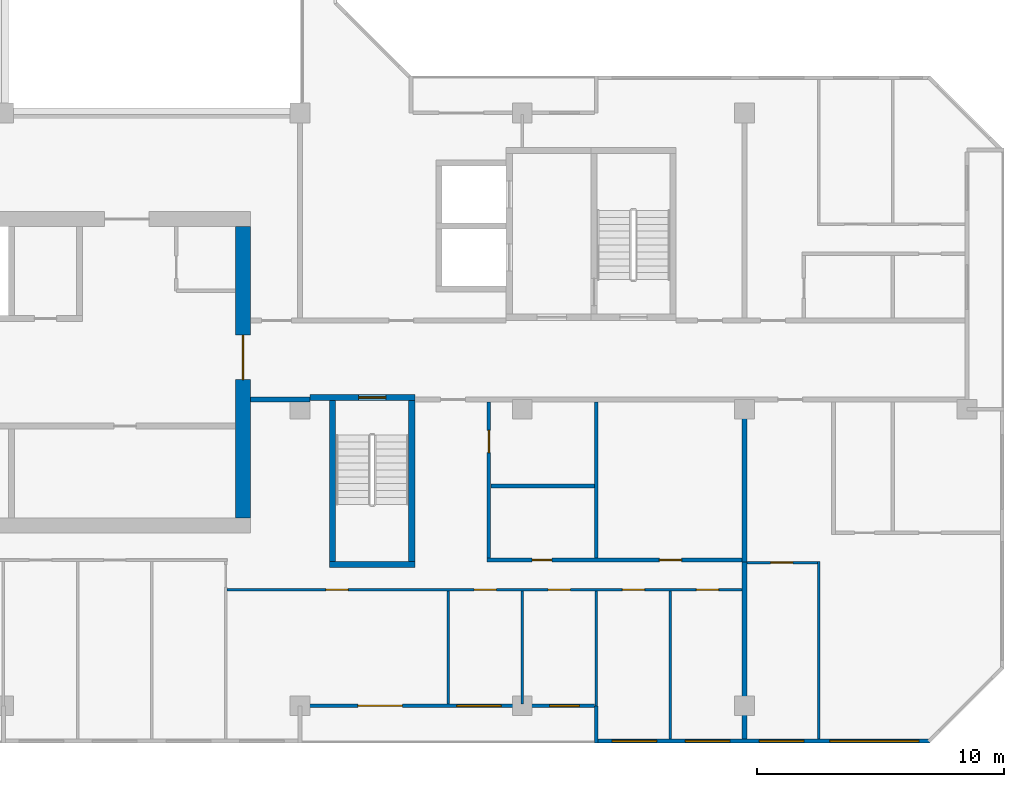
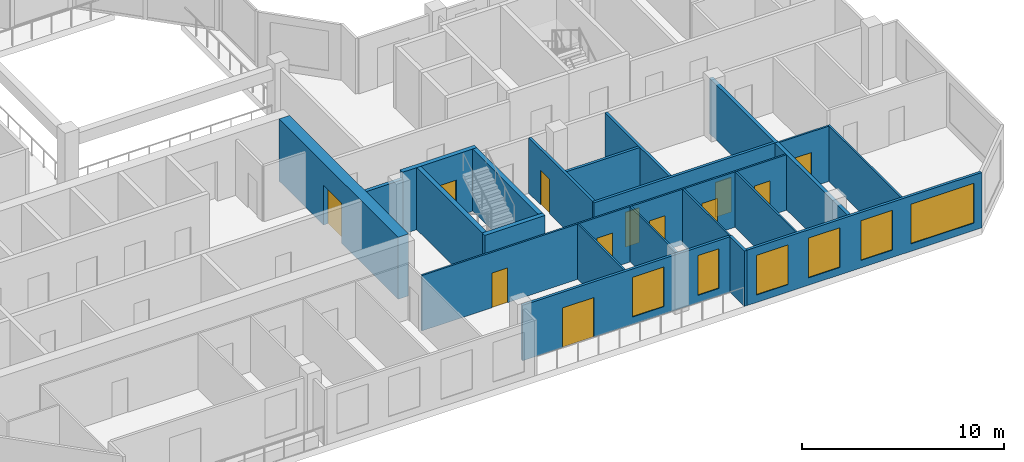
# One storey, part 6 of 13: 22 walls, 12 doors, 6 windows, 18 openings.
"""IFC4 building model written with IfcOpenShell, lengths in metres."""

from ifc_helpers import new_model, si_unit, direction, frame, frame_2d, origin, place, context, subcontext, project, spatial, rectangle, extrude, material, layer, layer_set, type_object, element, fill, save


model = new_model("IFC4")

# Units and contexts
model_context = context("Model", 3, precision=1e-05, world=origin(), true_north=direction((0.0, 1.0)))
body_context = subcontext(model_context, "Body", "Model", "MODEL_VIEW")
ifc_project = project(units=[si_unit("LENGTHUNIT", "METRE"), si_unit("AREAUNIT", "SQUARE_METRE"), si_unit("VOLUMEUNIT", "CUBIC_METRE"), si_unit("PLANEANGLEUNIT", "RADIAN"), si_unit("MASSUNIT", "GRAM", prefix="KILO")], contexts=[model_context])

# Site, building, storey
site_placement = place(None, origin())
site = spatial("IfcSite", under=ifc_project, at=site_placement, CompositionType="ELEMENT")
building_placement = place(site_placement, origin())
building = spatial("IfcBuilding", under=site, at=building_placement, Name="Chenar Terraces", CompositionType="ELEMENT")
storey_placement = place(building_placement, frame((0.0, 0.0, 284.64990234375)))
storey = spatial("IfcBuildingStorey", under=building, at=storey_placement, Name="L66", CompositionType="ELEMENT", Elevation=284.64990234375)

# Wall
ifc_material_1 = material(Name="Concrete C50/60", Category="concrete")
ifc_layer_1 = layer(ifc_material_1, 0.25)
ifc_layer_set_1 = layer_set([ifc_layer_1], Name="Concrete C50/60")
wall_type_1 = type_object("IfcWallType", Name="Core wall 250 Concrete C50/60", PredefinedType="SHEAR", material=ifc_layer_set_1)
wall_1_placement = place(storey_placement, frame((37.199951171875, 5.72509765625, 0.0), z_axis=(0.0, 0.0, 1.0), x_axis=(1.0, 0.0, 0.0)))
element("IfcWall", 1, at=wall_1_placement, inside=storey, type_object=wall_type_1, Name="Core wall ST2_S L66", PredefinedType="SHEAR", context=body_context, shape_type="SweptSolid", body=[
    extrude(rectangle(XDim=3.449951171875, YDim=0.25, at=frame_2d((1.72509765625, 0.0))), origin(), (0.0, 0.0, 1.0), 3.75),
])

# Wall, opening, door
wall_2_placement = place(storey_placement, frame((36.39990234375, 12.47509765625, 0.0), z_axis=(0.0, 0.0, 1.0), x_axis=(1.0, 0.0, 0.0)))
wall_2 = element("IfcWall", 2, at=wall_2_placement, inside=storey, type_object=wall_type_1, Name="Core wall ST2_N L66", PredefinedType="SHEAR", context=body_context, shape_type="SweptSolid", body=[
    extrude(rectangle(XDim=4.25, YDim=0.25, at=frame_2d((2.125, 0.0))), origin(), (0.0, 0.0, 1.0), 3.75),
])
opening_1_placement = place(wall_2_placement, frame((1.97509765625, 0.0, 0.0)))
opening_1 = element("IfcOpeningElement", 3, at=opening_1_placement, cuts=wall_2, Name="Opening DL66-C7", PredefinedType="OPENING", context=body_context, shape_type="SweptSolid", body=[
    extrude(rectangle(XDim=1.10009765625, YDim=2.199951171875, at=frame_2d((0.550048828125, 1.10009765625))), frame((0.0, 0.135009765625, 0.0), z_axis=(0.0, -1.0, 0.0), x_axis=(1.0, 0.0, 0.0)), (0.0, 0.0, 1.0), 0.27001953125),
])
ifc_material_2 = material(Name="Steel-framed fire-resisting door leaf", Category="steel")
door_type_1 = type_object("IfcDoorType", Name="Stair fire door FD60 1100 x 2200", OperationType="SINGLE_SWING_LEFT", PredefinedType="DOOR", material=ifc_material_2)
door_1_placement = place(opening_1_placement, frame((1.10009765625, 0.0, 0.0), z_axis=(0.0, 0.0, 1.0), x_axis=(-1.0, 0.0, 0.0)))
door_1 = element("IfcDoor", 4, at=door_1_placement, inside=storey, type_object=door_type_1, Name="Stair door DL66-C7", OperationType="SINGLE_SWING_LEFT", OverallHeight=2.199951171875, OverallWidth=1.10009765625, PredefinedType="DOOR", context=body_context, shape_type="SweptSolid", body=[
    extrude(rectangle(XDim=1.10009765625, YDim=2.199951171875, at=frame_2d((0.550048828125, 1.10009765625))), frame((0.0, 0.02490234375, 0.0), z_axis=(0.0, -1.0, 0.0), x_axis=(1.0, 0.0, 0.0)), (0.0, 0.0, 1.0), 0.050048828125),
])
fill(opening_1, door_1)

# Walls
for number, where, z_axis, x_axis, name in (
    (5, (37.324951171875, 5.85009765625, 0.0), (0.0, 0.0, 1.0), (0.0, 1.0, 0.0), "Core wall ST2_W L66"),
    (6, (40.52490234375, 5.85009765625, 0.0), (0.0, 0.0, 1.0), (0.0, 1.0, 0.0), "Core wall ST2_E L66"),
):
    element("IfcWall", number, at=place(storey_placement, frame(where, z_axis=z_axis, x_axis=x_axis)), inside=storey, type_object=wall_type_1, Name=name, PredefinedType="SHEAR", context=body_context, shape_type="SweptSolid", body=[
        extrude(rectangle(XDim=6.5, YDim=0.25, at=frame_2d((3.25, 0.0))), origin(), (0.0, 0.0, 1.0), 3.75),
    ])

# Wall, opening, door
ifc_material_3 = material(Name="Concrete C50/60", Category="concrete")
ifc_layer_2 = layer(ifc_material_3, 0.60009765625)
ifc_layer_set_2 = layer_set([ifc_layer_2], Name="Concrete C50/60")
wall_type_2 = type_object("IfcWallType", Name="Core wall 600 Concrete C50/60", PredefinedType="SHEAR", material=ifc_layer_set_2)
wall_3_placement = place(storey_placement, frame((33.699951171875, 7.60009765625, 0.0), z_axis=(0.0, 0.0, 1.0), x_axis=(0.0, 1.0, 0.0)))
wall_3 = element("IfcWall", 7, at=wall_3_placement, inside=storey, type_object=wall_type_2, Name="Core wall E L66", PredefinedType="SHEAR", context=body_context, shape_type="SweptSolid", body=[
    extrude(rectangle(XDim=11.7998046875, YDim=0.60009765625, at=frame_2d((5.89990234375, 0.0))), origin(), (0.0, 0.0, 1.0), 3.75),
])
opening_2_placement = place(wall_3_placement, frame((5.60009765625, 0.0, 0.0)))
opening_2 = element("IfcOpeningElement", 8, at=opening_2_placement, cuts=wall_3, Name="Opening DL66-C1", PredefinedType="OPENING", context=body_context, shape_type="SweptSolid", body=[
    extrude(rectangle(XDim=1.800048828125, YDim=2.39990234375, at=frame_2d((0.89990234375, 1.199951171875))), frame((0.0, 0.31005859375, 0.0), z_axis=(0.0, -1.0, 0.0), x_axis=(1.0, 0.0, 0.0)), (0.0, 0.0, 1.0), 0.6201171875),
])
ifc_material_4 = material(Name="Steel-framed fire-resisting door leaf", Category="steel")
door_type_2 = type_object("IfcDoorType", Name="Core entrance double fire door FD60 1800 x 2400", OperationType="DOUBLE_DOOR_SINGLE_SWING", PredefinedType="DOOR", material=ifc_material_4)
door_2_placement = place(opening_2_placement, origin())
door_2 = element("IfcDoor", 9, at=door_2_placement, inside=storey, type_object=door_type_2, Name="Core door DL66-C1", OperationType="DOUBLE_DOOR_SINGLE_SWING", OverallHeight=2.39990234375, OverallWidth=1.800048828125, PredefinedType="DOOR", context=body_context, shape_type="SweptSolid", body=[
    extrude(rectangle(XDim=1.800048828125, YDim=2.39990234375, at=frame_2d((0.89990234375, 1.199951171875))), frame((0.0, 0.02490234375, 0.0), z_axis=(0.0, -1.0, 0.0), x_axis=(1.0, 0.0, 0.0)), (0.0, 0.0, 1.0), 0.050048828125),
])
fill(opening_2, door_2)

# Wall
ifc_material_5 = material(Name="Gypsum board on steel studs with fire boards", Category="steel")
ifc_layer_3 = layer(ifc_material_5, 0.199951171875)
ifc_layer_set_3 = layer_set([ifc_layer_3], Name="Gypsum board on steel studs with fire boards")
wall_type_3 = type_object("IfcWallType", Name="Corridor wall 200", PredefinedType="PARTITIONING", material=ifc_layer_set_3)
wall_4_placement = place(storey_placement, frame((34.0, 12.39990234375, 0.0), z_axis=(0.0, 0.0, 1.0), x_axis=(1.0, 0.0, 0.0)))
element("IfcWall", 10, at=wall_4_placement, inside=storey, type_object=wall_type_3, Name="Partition L66-048", PredefinedType="PARTITIONING", context=body_context, shape_type="SweptSolid", body=[
    extrude(rectangle(XDim=2.40087890625, YDim=0.199951171875, at=frame_2d((1.200439453125, 0.0))), origin(), (0.0, 0.0, 1.0), 3.35009765625),
])

# Wall, openings, windows
ifc_material_6 = material(Name="Aluminium framed glazing", Category="aluminium")
ifc_layer_4 = layer(ifc_material_6, 0.14990234375)
ifc_layer_set_4 = layer_set([ifc_layer_4], Name="Aluminium framed glazing")
wall_type_4 = type_object("IfcWallType", Name="Glazed flush facade wall 150", PredefinedType="SOLIDWALL", material=ifc_layer_set_4)
wall_5_placement = place(storey_placement, frame((48.074951171875, -1.425048828125, 0.0), z_axis=(0.0, 0.0, 1.0), x_axis=(1.0, 0.0, 0.0)))
wall_5 = element("IfcWall", 11, at=wall_5_placement, inside=storey, type_object=wall_type_4, Name="Glazed flush facade wall", PredefinedType="SOLIDWALL", context=body_context, shape_type="SweptSolid", body=[
    extrude(rectangle(XDim=13.425048828125, YDim=0.14990234375, at=frame_2d((6.71240234375, 0.0))), origin(), (0.0, 0.0, 1.0), 3.35009765625),
])
opening_3_placement = place(wall_5_placement, frame((0.5625, 0.0, 0.449951171875)))
opening_3 = element("IfcOpeningElement", 12, at=opening_3_placement, cuts=wall_5, Name="Opening W180x240", PredefinedType="OPENING", context=body_context, shape_type="SweptSolid", body=[
    extrude(rectangle(XDim=1.800048828125, YDim=2.39990234375, at=frame_2d((0.89990234375, 1.199951171875))), frame((0.0, 0.0849609375, 0.0), z_axis=(0.0, -1.0, 0.0), x_axis=(1.0, 0.0, 0.0)), (0.0, 0.0, 1.0), 0.169921875),
])
opening_4_placement = place(wall_5_placement, frame((3.52490234375, 0.0, 0.449951171875)))
opening_4 = element("IfcOpeningElement", 13, at=opening_4_placement, cuts=wall_5, Name="Opening W180x240", PredefinedType="OPENING", context=body_context, shape_type="SweptSolid", body=[
    extrude(rectangle(XDim=1.800048828125, YDim=2.39990234375, at=frame_2d((0.89990234375, 1.199951171875))), frame((0.0, 0.0849609375, 0.0), z_axis=(0.0, -1.0, 0.0), x_axis=(1.0, 0.0, 0.0)), (0.0, 0.0, 1.0), 0.169921875),
])
opening_5_placement = place(wall_5_placement, frame((6.52490234375, 0.0, 0.449951171875)))
opening_5 = element("IfcOpeningElement", 14, at=opening_5_placement, cuts=wall_5, Name="Opening W180x240", PredefinedType="OPENING", context=body_context, shape_type="SweptSolid", body=[
    extrude(rectangle(XDim=1.800048828125, YDim=2.39990234375, at=frame_2d((0.89990234375, 1.199951171875))), frame((0.0, 0.0849609375, 0.0), z_axis=(0.0, -1.0, 0.0), x_axis=(1.0, 0.0, 0.0)), (0.0, 0.0, 1.0), 0.169921875),
])
opening_6_placement = place(wall_5_placement, frame((9.375, 0.0, 0.449951171875)))
opening_6 = element("IfcOpeningElement", 15, at=opening_6_placement, cuts=wall_5, Name="Opening W360x240", PredefinedType="OPENING", context=body_context, shape_type="SweptSolid", body=[
    extrude(rectangle(XDim=3.60009765625, YDim=2.39990234375, at=frame_2d((1.800048828125, 1.199951171875))), frame((0.0, 0.0849609375, 0.0), z_axis=(0.0, -1.0, 0.0), x_axis=(1.0, 0.0, 0.0)), (0.0, 0.0, 1.0), 0.169921875),
])
ifc_material_7 = material(Name="Low emissivity double glazing, aluminium frame", Category="aluminium")
window_type_1 = type_object("IfcWindowType", Name="Fixed light 1800 x 2400", PartitioningType="SINGLE_PANEL", PredefinedType="WINDOW", material=ifc_material_7)
window_1_placement = place(opening_3_placement, origin())
window_1 = element("IfcWindow", 16, at=window_1_placement, inside=storey, type_object=window_type_1, Name="Window", OverallHeight=2.39990234375, OverallWidth=1.800048828125, PartitioningType="SINGLE_PANEL", PredefinedType="WINDOW", context=body_context, shape_type="SweptSolid", body=[
    extrude(rectangle(XDim=1.800048828125, YDim=2.39990234375, at=frame_2d((0.89990234375, 1.199951171875))), frame((0.0, 0.030029296875, 0.0), z_axis=(0.0, -1.0, 0.0), x_axis=(1.0, 0.0, 0.0)), (0.0, 0.0, 1.0), 0.06005859375),
])
fill(opening_3, window_1)
window_2_placement = place(opening_4_placement, origin())
window_2 = element("IfcWindow", 17, at=window_2_placement, inside=storey, type_object=window_type_1, Name="Window", OverallHeight=2.39990234375, OverallWidth=1.800048828125, PartitioningType="SINGLE_PANEL", PredefinedType="WINDOW", context=body_context, shape_type="SweptSolid", body=[
    extrude(rectangle(XDim=1.800048828125, YDim=2.39990234375, at=frame_2d((0.89990234375, 1.199951171875))), frame((0.0, 0.030029296875, 0.0), z_axis=(0.0, -1.0, 0.0), x_axis=(1.0, 0.0, 0.0)), (0.0, 0.0, 1.0), 0.06005859375),
])
fill(opening_4, window_2)
window_3_placement = place(opening_5_placement, origin())
window_3 = element("IfcWindow", 18, at=window_3_placement, inside=storey, type_object=window_type_1, Name="Window", OverallHeight=2.39990234375, OverallWidth=1.800048828125, PartitioningType="SINGLE_PANEL", PredefinedType="WINDOW", context=body_context, shape_type="SweptSolid", body=[
    extrude(rectangle(XDim=1.800048828125, YDim=2.39990234375, at=frame_2d((0.89990234375, 1.199951171875))), frame((0.0, 0.030029296875, 0.0), z_axis=(0.0, -1.0, 0.0), x_axis=(1.0, 0.0, 0.0)), (0.0, 0.0, 1.0), 0.06005859375),
])
fill(opening_5, window_3)
ifc_material_8 = material(Name="Low emissivity double glazing, aluminium frame", Category="aluminium")
window_type_2 = type_object("IfcWindowType", Name="Fixed light 3600 x 2400", PartitioningType="SINGLE_PANEL", PredefinedType="WINDOW", material=ifc_material_8)
window_4_placement = place(opening_6_placement, origin())
window_4 = element("IfcWindow", 19, at=window_4_placement, inside=storey, type_object=window_type_2, Name="Window", OverallHeight=2.39990234375, OverallWidth=3.60009765625, PartitioningType="SINGLE_PANEL", PredefinedType="WINDOW", context=body_context, shape_type="SweptSolid", body=[
    extrude(rectangle(XDim=3.60009765625, YDim=2.39990234375, at=frame_2d((1.800048828125, 1.199951171875))), frame((0.0, 0.030029296875, 0.0), z_axis=(0.0, -1.0, 0.0), x_axis=(1.0, 0.0, 0.0)), (0.0, 0.0, 1.0), 0.06005859375),
])
fill(opening_6, window_4)

# Wall, openings, windows, door
ifc_material_9 = material(Name="Aluminium framed glazing", Category="aluminium")
ifc_layer_5 = layer(ifc_material_9, 0.14990234375)
ifc_layer_set_5 = layer_set([ifc_layer_5], Name="Aluminium framed glazing")
wall_type_5 = type_object("IfcWallType", Name="Glazed loggia back wall 150", PredefinedType="SOLIDWALL", material=ifc_layer_set_5)
wall_6_placement = place(storey_placement, frame((36.074951171875, 0.0, 0.0), z_axis=(0.0, 0.0, 1.0), x_axis=(1.0, 0.0, 0.0)))
wall_6 = element("IfcWall", 20, at=wall_6_placement, inside=storey, type_object=wall_type_5, Name="Glazed loggia back wall", PredefinedType="SOLIDWALL", context=body_context, shape_type="SweptSolid", body=[
    extrude(rectangle(XDim=11.85009765625, YDim=0.14990234375, at=frame_2d((5.925048828125, 0.0))), origin(), (0.0, 0.0, 1.0), 3.35009765625),
])
opening_7_placement = place(wall_6_placement, frame((2.27490234375, 0.0, 0.0)))
opening_7 = element("IfcOpeningElement", 21, at=opening_7_placement, cuts=wall_6, Name="Opening DL66-G6", PredefinedType="OPENING", context=body_context, shape_type="SweptSolid", body=[
    extrude(rectangle(XDim=1.800048828125, YDim=2.39990234375, at=frame_2d((0.89990234375, 1.199951171875))), frame((0.0, 0.0849609375, 0.0), z_axis=(0.0, -1.0, 0.0), x_axis=(1.0, 0.0, 0.0)), (0.0, 0.0, 1.0), 0.169921875),
])
opening_8_placement = place(wall_6_placement, frame((6.27490234375, 0.0, 0.449951171875)))
opening_8 = element("IfcOpeningElement", 22, at=opening_8_placement, cuts=wall_6, Name="Opening W180x240", PredefinedType="OPENING", context=body_context, shape_type="SweptSolid", body=[
    extrude(rectangle(XDim=1.800048828125, YDim=2.39990234375, at=frame_2d((0.89990234375, 1.199951171875))), frame((0.0, 0.0849609375, 0.0), z_axis=(0.0, -1.0, 0.0), x_axis=(1.0, 0.0, 0.0)), (0.0, 0.0, 1.0), 0.169921875),
])
opening_9_placement = place(wall_6_placement, frame((10.03759765625, 0.0, 0.449951171875)))
opening_9 = element("IfcOpeningElement", 23, at=opening_9_placement, cuts=wall_6, Name="Opening W120x240", PredefinedType="OPENING", context=body_context, shape_type="SweptSolid", body=[
    extrude(rectangle(XDim=1.199951171875, YDim=2.39990234375, at=frame_2d((0.60009765625, 1.199951171875))), frame((0.0, 0.0849609375, 0.0), z_axis=(0.0, -1.0, 0.0), x_axis=(1.0, 0.0, 0.0)), (0.0, 0.0, 1.0), 0.169921875),
])
ifc_material_10 = material(Name="Low emissivity double glazing, aluminium frame", Category="aluminium")
window_type_3 = type_object("IfcWindowType", Name="Fixed light 1200 x 2400", PartitioningType="SINGLE_PANEL", PredefinedType="WINDOW", material=ifc_material_10)
window_5_placement = place(opening_9_placement, origin())
window_5 = element("IfcWindow", 24, at=window_5_placement, inside=storey, type_object=window_type_3, Name="Window", OverallHeight=2.39990234375, OverallWidth=1.199951171875, PartitioningType="SINGLE_PANEL", PredefinedType="WINDOW", context=body_context, shape_type="SweptSolid", body=[
    extrude(rectangle(XDim=1.199951171875, YDim=2.39990234375, at=frame_2d((0.60009765625, 1.199951171875))), frame((0.0, 0.030029296875, 0.0), z_axis=(0.0, -1.0, 0.0), x_axis=(1.0, 0.0, 0.0)), (0.0, 0.0, 1.0), 0.06005859375),
])
fill(opening_9, window_5)
window_6_placement = place(opening_8_placement, origin())
window_6 = element("IfcWindow", 25, at=window_6_placement, inside=storey, type_object=window_type_1, Name="Window", OverallHeight=2.39990234375, OverallWidth=1.800048828125, PartitioningType="SINGLE_PANEL", PredefinedType="WINDOW", context=body_context, shape_type="SweptSolid", body=[
    extrude(rectangle(XDim=1.800048828125, YDim=2.39990234375, at=frame_2d((0.89990234375, 1.199951171875))), frame((0.0, 0.030029296875, 0.0), z_axis=(0.0, -1.0, 0.0), x_axis=(1.0, 0.0, 0.0)), (0.0, 0.0, 1.0), 0.06005859375),
])
fill(opening_8, window_6)
ifc_material_11 = material(Name="Low emissivity double glazing, aluminium frame", Category="aluminium")
door_type_3 = type_object("IfcDoorType", Name="Loggia glazed double door 1800 x 2400", OperationType="DOUBLE_DOOR_SINGLE_SWING", PredefinedType="DOOR", material=ifc_material_11)
door_3_placement = place(opening_7_placement, frame((1.800048828125, 0.0, 0.0), z_axis=(0.0, 0.0, 1.0), x_axis=(-1.0, 0.0, 0.0)))
door_3 = element("IfcDoor", 26, at=door_3_placement, inside=storey, type_object=door_type_3, Name="Loggia glazed door", OperationType="DOUBLE_DOOR_SINGLE_SWING", OverallHeight=2.39990234375, OverallWidth=1.800048828125, PredefinedType="DOOR", context=body_context, shape_type="SweptSolid", body=[
    extrude(rectangle(XDim=1.800048828125, YDim=2.39990234375, at=frame_2d((0.89990234375, 1.199951171875))), frame((0.0, 0.02490234375, 0.0), z_axis=(0.0, -1.0, 0.0), x_axis=(1.0, 0.0, 0.0)), (0.0, 0.0, 1.0), 0.050048828125),
])
fill(opening_7, door_3)

# Wall, openings, doors
ifc_material_12 = material(Name="Gypsum board on steel studs", Category="steel")
ifc_layer_6 = layer(ifc_material_12, 0.10009765625)
ifc_layer_set_6 = layer_set([ifc_layer_6], Name="Gypsum board on steel studs")
wall_type_6 = type_object("IfcWallType", Name="Gypsum partition 100", PredefinedType="PARTITIONING", material=ifc_layer_set_6)
wall_7_placement = place(storey_placement, frame((33.050048828125, 4.699951171875, 0.0), z_axis=(0.0, 0.0, 1.0), x_axis=(1.0, 0.0, 0.0)))
wall_7 = element("IfcWall", 27, at=wall_7_placement, inside=storey, type_object=wall_type_6, Name="Partition L66-047", PredefinedType="PARTITIONING", context=body_context, shape_type="SweptSolid", body=[
    extrude(rectangle(XDim=20.849853515625, YDim=0.10009765625, at=frame_2d((10.4248046875, 0.0))), origin(), (0.0, 0.0, 1.0), 3.35009765625),
])
opening_10_placement = place(wall_7_placement, frame((10.0, 0.0, 0.0)))
opening_10 = element("IfcOpeningElement", 28, at=opening_10_placement, cuts=wall_7, Name="Opening DL66-38", PredefinedType="OPENING", context=body_context, shape_type="SweptSolid", body=[
    extrude(rectangle(XDim=0.89990234375, YDim=2.10009765625, at=frame_2d((0.449951171875, 1.050048828125))), frame((0.0, 0.06005859375, 0.0), z_axis=(0.0, -1.0, 0.0), x_axis=(1.0, 0.0, 0.0)), (0.0, 0.0, 1.0), 0.1201171875),
])
opening_11_placement = place(wall_7_placement, frame((13.0, 0.0, 0.0)))
opening_11 = element("IfcOpeningElement", 29, at=opening_11_placement, cuts=wall_7, Name="Opening DL66-39", PredefinedType="OPENING", context=body_context, shape_type="SweptSolid", body=[
    extrude(rectangle(XDim=0.89990234375, YDim=2.10009765625, at=frame_2d((0.449951171875, 1.050048828125))), frame((0.0, 0.06005859375, 0.0), z_axis=(0.0, -1.0, 0.0), x_axis=(1.0, 0.0, 0.0)), (0.0, 0.0, 1.0), 0.1201171875),
])
opening_12_placement = place(wall_7_placement, frame((16.0, 0.0, 0.0)))
opening_12 = element("IfcOpeningElement", 30, at=opening_12_placement, cuts=wall_7, Name="Opening DL66-40", PredefinedType="OPENING", context=body_context, shape_type="SweptSolid", body=[
    extrude(rectangle(XDim=0.89990234375, YDim=2.10009765625, at=frame_2d((0.449951171875, 1.050048828125))), frame((0.0, 0.06005859375, 0.0), z_axis=(0.0, -1.0, 0.0), x_axis=(1.0, 0.0, 0.0)), (0.0, 0.0, 1.0), 0.1201171875),
])
opening_13_placement = place(wall_7_placement, frame((19.0, 0.0, 0.0)))
opening_13 = element("IfcOpeningElement", 31, at=opening_13_placement, cuts=wall_7, Name="Opening DL66-41", PredefinedType="OPENING", context=body_context, shape_type="SweptSolid", body=[
    extrude(rectangle(XDim=0.89990234375, YDim=2.10009765625, at=frame_2d((0.449951171875, 1.050048828125))), frame((0.0, 0.06005859375, 0.0), z_axis=(0.0, -1.0, 0.0), x_axis=(1.0, 0.0, 0.0)), (0.0, 0.0, 1.0), 0.1201171875),
])
opening_14_placement = place(wall_7_placement, frame((4.0, 0.0, 0.0)))
opening_14 = element("IfcOpeningElement", 32, at=opening_14_placement, cuts=wall_7, Name="Opening DL66-48", PredefinedType="OPENING", context=body_context, shape_type="SweptSolid", body=[
    extrude(rectangle(XDim=0.89990234375, YDim=2.10009765625, at=frame_2d((0.449951171875, 1.050048828125))), frame((0.0, 0.06005859375, 0.0), z_axis=(0.0, -1.0, 0.0), x_axis=(1.0, 0.0, 0.0)), (0.0, 0.0, 1.0), 0.1201171875),
])
ifc_material_13 = material(Name="Veneered timber door leaf", Category="wood")
door_type_4 = type_object("IfcDoorType", Name="Door 900 x 2100", OperationType="SINGLE_SWING_LEFT", PredefinedType="DOOR", material=ifc_material_13)
door_4_placement = place(opening_10_placement, frame((0.89990234375, 0.0, 0.0), z_axis=(0.0, 0.0, 1.0), x_axis=(-1.0, 0.0, 0.0)))
door_4 = element("IfcDoor", 33, at=door_4_placement, inside=storey, type_object=door_type_4, Name="Door DL66-38", OperationType="SINGLE_SWING_LEFT", OverallHeight=2.10009765625, OverallWidth=0.89990234375, PredefinedType="DOOR", context=body_context, shape_type="SweptSolid", body=[
    extrude(rectangle(XDim=0.89990234375, YDim=2.10009765625, at=frame_2d((0.449951171875, 1.050048828125))), frame((0.0, 0.02490234375, 0.0), z_axis=(0.0, -1.0, 0.0), x_axis=(1.0, 0.0, 0.0)), (0.0, 0.0, 1.0), 0.050048828125),
])
fill(opening_10, door_4)
door_5_placement = place(opening_11_placement, frame((0.89990234375, 0.0, 0.0), z_axis=(0.0, 0.0, 1.0), x_axis=(-1.0, 0.0, 0.0)))
door_5 = element("IfcDoor", 34, at=door_5_placement, inside=storey, type_object=door_type_4, Name="Door DL66-39", OperationType="SINGLE_SWING_LEFT", OverallHeight=2.10009765625, OverallWidth=0.89990234375, PredefinedType="DOOR", context=body_context, shape_type="SweptSolid", body=[
    extrude(rectangle(XDim=0.89990234375, YDim=2.10009765625, at=frame_2d((0.449951171875, 1.050048828125))), frame((0.0, 0.02490234375, 0.0), z_axis=(0.0, -1.0, 0.0), x_axis=(1.0, 0.0, 0.0)), (0.0, 0.0, 1.0), 0.050048828125),
])
fill(opening_11, door_5)
door_6_placement = place(opening_12_placement, frame((0.89990234375, 0.0, 0.0), z_axis=(0.0, 0.0, 1.0), x_axis=(-1.0, 0.0, 0.0)))
door_6 = element("IfcDoor", 35, at=door_6_placement, inside=storey, type_object=door_type_4, Name="Door DL66-40", OperationType="SINGLE_SWING_LEFT", OverallHeight=2.10009765625, OverallWidth=0.89990234375, PredefinedType="DOOR", context=body_context, shape_type="SweptSolid", body=[
    extrude(rectangle(XDim=0.89990234375, YDim=2.10009765625, at=frame_2d((0.449951171875, 1.050048828125))), frame((0.0, 0.02490234375, 0.0), z_axis=(0.0, -1.0, 0.0), x_axis=(1.0, 0.0, 0.0)), (0.0, 0.0, 1.0), 0.050048828125),
])
fill(opening_12, door_6)
door_7_placement = place(opening_13_placement, frame((0.89990234375, 0.0, 0.0), z_axis=(0.0, 0.0, 1.0), x_axis=(-1.0, 0.0, 0.0)))
door_7 = element("IfcDoor", 36, at=door_7_placement, inside=storey, type_object=door_type_4, Name="Door DL66-41", OperationType="SINGLE_SWING_LEFT", OverallHeight=2.10009765625, OverallWidth=0.89990234375, PredefinedType="DOOR", context=body_context, shape_type="SweptSolid", body=[
    extrude(rectangle(XDim=0.89990234375, YDim=2.10009765625, at=frame_2d((0.449951171875, 1.050048828125))), frame((0.0, 0.02490234375, 0.0), z_axis=(0.0, -1.0, 0.0), x_axis=(1.0, 0.0, 0.0)), (0.0, 0.0, 1.0), 0.050048828125),
])
fill(opening_13, door_7)
door_8_placement = place(opening_14_placement, frame((0.89990234375, 0.0, 0.0), z_axis=(0.0, 0.0, 1.0), x_axis=(-1.0, 0.0, 0.0)))
door_8 = element("IfcDoor", 37, at=door_8_placement, inside=storey, type_object=door_type_4, Name="Door DL66-48", OperationType="SINGLE_SWING_LEFT", OverallHeight=2.10009765625, OverallWidth=0.89990234375, PredefinedType="DOOR", context=body_context, shape_type="SweptSolid", body=[
    extrude(rectangle(XDim=0.89990234375, YDim=2.10009765625, at=frame_2d((0.449951171875, 1.050048828125))), frame((0.0, 0.02490234375, 0.0), z_axis=(0.0, -1.0, 0.0), x_axis=(1.0, 0.0, 0.0)), (0.0, 0.0, 1.0), 0.050048828125),
])
fill(opening_14, door_8)

# Walls
for number, where, z_axis, x_axis, name in (
    (38, (42.0, 0.073974609375, 0.0), (0.0, 0.0, 1.0), (0.0, 1.0, 0.0), "Partition L66-052"),
    (39, (45.0, 0.073974609375, 0.0), (0.0, 0.0, 1.0), (0.0, 1.0, 0.0), "Partition L66-056"),
):
    element("IfcWall", number, at=place(storey_placement, frame(where, z_axis=z_axis, x_axis=x_axis)), inside=storey, type_object=wall_type_6, Name=name, PredefinedType="PARTITIONING", context=body_context, shape_type="SweptSolid", body=[
        extrude(rectangle(XDim=4.575927734375, YDim=0.10009765625, at=frame_2d((2.2880859375, 0.0))), origin(), (0.0, 0.0, 1.0), 3.35009765625),
    ])
wall_8_placement = place(storey_placement, frame((48.0, 0.0, 0.0), z_axis=(0.0, 0.0, 1.0), x_axis=(0.0, 1.0, 0.0)))
element("IfcWall", 40, at=wall_8_placement, inside=storey, type_object=wall_type_6, Name="Partition L66-058", PredefinedType="PARTITIONING", context=body_context, shape_type="SweptSolid", body=[
    extrude(rectangle(XDim=4.64990234375, YDim=0.10009765625, at=frame_2d((2.324951171875, 0.0))), origin(), (0.0, 0.0, 1.0), 3.35009765625),
])
wall_9_placement = place(storey_placement, frame((51.0, -1.35107421875, 0.0), z_axis=(0.0, 0.0, 1.0), x_axis=(0.0, 1.0, 0.0)))
element("IfcWall", 41, at=wall_9_placement, inside=storey, type_object=wall_type_6, Name="Partition L66-060", PredefinedType="PARTITIONING", context=body_context, shape_type="SweptSolid", body=[
    extrude(rectangle(XDim=6.0009765625, YDim=0.10009765625, at=frame_2d((3.00048828125, 0.0))), origin(), (0.0, 0.0, 1.0), 3.35009765625),
])

# Wall, opening, door
wall_10_placement = place(storey_placement, frame((54.10009765625, 5.800048828125, 0.0), z_axis=(0.0, 0.0, 1.0), x_axis=(1.0, 0.0, 0.0)))
wall_10 = element("IfcWall", 42, at=wall_10_placement, inside=storey, type_object=wall_type_6, Name="Partition L66-065", PredefinedType="PARTITIONING", context=body_context, shape_type="SweptSolid", body=[
    extrude(rectangle(XDim=2.849853515625, YDim=0.10009765625, at=frame_2d((1.4248046875, 0.0))), origin(), (0.0, 0.0, 1.0), 3.35009765625),
])
opening_15_placement = place(wall_10_placement, frame((0.949951171875, 0.0, 0.0)))
opening_15 = element("IfcOpeningElement", 43, at=opening_15_placement, cuts=wall_10, Name="Opening DL66-10", PredefinedType="OPENING", context=body_context, shape_type="SweptSolid", body=[
    extrude(rectangle(XDim=0.89990234375, YDim=2.10009765625, at=frame_2d((0.449951171875, 1.050048828125))), frame((0.0, 0.06005859375, 0.0), z_axis=(0.0, -1.0, 0.0), x_axis=(1.0, 0.0, 0.0)), (0.0, 0.0, 1.0), 0.1201171875),
])
door_9_placement = place(opening_15_placement, frame((0.89990234375, 0.0, 0.0), z_axis=(0.0, 0.0, 1.0), x_axis=(-1.0, 0.0, 0.0)))
door_9 = element("IfcDoor", 44, at=door_9_placement, inside=storey, type_object=door_type_4, Name="Door DL66-10", OperationType="SINGLE_SWING_LEFT", OverallHeight=2.10009765625, OverallWidth=0.89990234375, PredefinedType="DOOR", context=body_context, shape_type="SweptSolid", body=[
    extrude(rectangle(XDim=0.89990234375, YDim=2.10009765625, at=frame_2d((0.449951171875, 1.050048828125))), frame((0.0, 0.02490234375, 0.0), z_axis=(0.0, -1.0, 0.0), x_axis=(1.0, 0.0, 0.0)), (0.0, 0.0, 1.0), 0.050048828125),
])
fill(opening_15, door_9)

# Walls
wall_11_placement = place(storey_placement, frame((57.0, -1.35009765625, 0.0), z_axis=(0.0, 0.0, 1.0), x_axis=(0.0, 1.0, 0.0)))
element("IfcWall", 45, at=wall_11_placement, inside=storey, type_object=wall_type_6, Name="Partition L66-069", PredefinedType="PARTITIONING", context=body_context, shape_type="SweptSolid", body=[
    extrude(rectangle(XDim=7.2001953125, YDim=0.10009765625, at=frame_2d((3.60009765625, 0.0))), origin(), (0.0, 0.0, 1.0), 3.35009765625),
])
ifc_material_14 = material(Name="Terracotta cladding on insulated backing", Category="masonry")
ifc_layer_7 = layer(ifc_material_14, 0.14990234375)
ifc_layer_set_7 = layer_set([ifc_layer_7], Name="Terracotta cladding on insulated backing")
wall_type_7 = type_object("IfcWallType", Name="Loggia return wall 150", PredefinedType="SOLIDWALL", material=ifc_layer_set_7)
wall_12_placement = place(storey_placement, frame((48.0, -1.5, 0.0), z_axis=(0.0, 0.0, 1.0), x_axis=(0.0, 1.0, 0.0)))
element("IfcWall", 46, at=wall_12_placement, inside=storey, type_object=wall_type_7, Name="Loggia return wall", PredefinedType="SOLIDWALL", context=body_context, shape_type="SweptSolid", body=[
    extrude(rectangle(XDim=1.5, YDim=0.14990234375, at=frame_2d((0.75, 0.0))), origin(), (0.0, 0.0, 1.0), 3.35009765625),
])
ifc_material_15 = material(Name="Twin gypsum board on steel studs with mineral wool", Category="steel")
ifc_layer_8 = layer(ifc_material_15, 0.199951171875)
ifc_layer_set_8 = layer_set([ifc_layer_8], Name="Twin gypsum board on steel studs with mineral wool")
wall_type_8 = type_object("IfcWallType", Name="Unit demising wall 200", PredefinedType="PARTITIONING", material=ifc_layer_set_8)
wall_13_placement = place(storey_placement, frame((54.0, -1.35107421875, 0.0), z_axis=(0.0, 0.0, 1.0), x_axis=(0.0, 1.0, 0.0)))
element("IfcWall", 47, at=wall_13_placement, inside=storey, type_object=wall_type_8, Name="Partition L66-062", PredefinedType="PARTITIONING", context=body_context, shape_type="SweptSolid", body=[
    extrude(rectangle(XDim=7.201171875, YDim=0.199951171875, at=frame_2d((3.6005859375, 0.0))), origin(), (0.0, 0.0, 1.0), 3.35009765625),
])
wall_14_placement = place(storey_placement, frame((54.0, 5.824951171875, 0.0), z_axis=(0.0, 0.0, 1.0), x_axis=(0.0, 1.0, 0.0)))
element("IfcWall", 48, at=wall_14_placement, inside=storey, type_object=wall_type_8, Name="Partition L66-063", PredefinedType="PARTITIONING", context=body_context, shape_type="SweptSolid", body=[
    extrude(rectangle(XDim=6.47509765625, YDim=0.199951171875, at=frame_2d((3.237548828125, 0.0))), origin(), (0.0, 0.0, 1.0), 3.35009765625),
])

# Wall, openings, doors
ifc_material_16 = material(Name="Moisture-resistant gypsum board on steel studs", Category="steel")
ifc_layer_9 = layer(ifc_material_16, 0.14990234375)
ifc_layer_set_9 = layer_set([ifc_layer_9], Name="Moisture-resistant gypsum board on steel studs")
wall_type_9 = type_object("IfcWallType", Name="Wet-room partition 150", PredefinedType="PARTITIONING", material=ifc_layer_set_9)
wall_15_placement = place(storey_placement, frame((43.574951171875, 5.89990234375, 0.0), z_axis=(0.0, 0.0, 1.0), x_axis=(1.0, 0.0, 0.0)))
wall_15 = element("IfcWall", 49, at=wall_15_placement, inside=storey, type_object=wall_type_9, Name="Partition L66-053", PredefinedType="PARTITIONING", context=body_context, shape_type="SweptSolid", body=[
    extrude(rectangle(XDim=10.324951171875, YDim=0.14990234375, at=frame_2d((5.16259765625, 0.0))), origin(), (0.0, 0.0, 1.0), 3.35009765625),
])
opening_16_placement = place(wall_15_placement, frame((1.824951171875, 0.0, 0.0)))
opening_16 = element("IfcOpeningElement", 50, at=opening_16_placement, cuts=wall_15, Name="Opening DL66-33", PredefinedType="OPENING", context=body_context, shape_type="SweptSolid", body=[
    extrude(rectangle(XDim=0.800048828125, YDim=2.10009765625, at=frame_2d((0.39990234375, 1.050048828125))), frame((0.0, 0.0849609375, 0.0), z_axis=(0.0, -1.0, 0.0), x_axis=(1.0, 0.0, 0.0)), (0.0, 0.0, 1.0), 0.169921875),
])
opening_17_placement = place(wall_15_placement, frame((6.97509765625, 0.0, 0.0)))
opening_17 = element("IfcOpeningElement", 51, at=opening_17_placement, cuts=wall_15, Name="Opening DL66-44", PredefinedType="OPENING", context=body_context, shape_type="SweptSolid", body=[
    extrude(rectangle(XDim=0.89990234375, YDim=2.10009765625, at=frame_2d((0.449951171875, 1.050048828125))), frame((0.0, 0.0849609375, 0.0), z_axis=(0.0, -1.0, 0.0), x_axis=(1.0, 0.0, 0.0)), (0.0, 0.0, 1.0), 0.169921875),
])
ifc_material_17 = material(Name="Veneered timber door leaf", Category="wood")
door_type_5 = type_object("IfcDoorType", Name="Door 800 x 2100", OperationType="SINGLE_SWING_LEFT", PredefinedType="DOOR", material=ifc_material_17)
door_10_placement = place(opening_16_placement, origin())
door_10 = element("IfcDoor", 52, at=door_10_placement, inside=storey, type_object=door_type_5, Name="Door DL66-33", OperationType="SINGLE_SWING_RIGHT", OverallHeight=2.10009765625, OverallWidth=0.800048828125, PredefinedType="DOOR", context=body_context, shape_type="SweptSolid", body=[
    extrude(rectangle(XDim=0.800048828125, YDim=2.10009765625, at=frame_2d((0.39990234375, 1.050048828125))), frame((0.0, 0.02490234375, 0.0), z_axis=(0.0, -1.0, 0.0), x_axis=(1.0, 0.0, 0.0)), (0.0, 0.0, 1.0), 0.050048828125),
])
fill(opening_16, door_10)
door_11_placement = place(opening_17_placement, origin())
door_11 = element("IfcDoor", 53, at=door_11_placement, inside=storey, type_object=door_type_4, Name="Door DL66-44", OperationType="SINGLE_SWING_RIGHT", OverallHeight=2.10009765625, OverallWidth=0.89990234375, PredefinedType="DOOR", context=body_context, shape_type="SweptSolid", body=[
    extrude(rectangle(XDim=0.89990234375, YDim=2.10009765625, at=frame_2d((0.449951171875, 1.050048828125))), frame((0.0, 0.02490234375, 0.0), z_axis=(0.0, -1.0, 0.0), x_axis=(1.0, 0.0, 0.0)), (0.0, 0.0, 1.0), 0.050048828125),
])
fill(opening_17, door_11)

# Wall, opening, door
wall_16_placement = place(storey_placement, frame((43.64990234375, 5.97509765625, 0.0), z_axis=(0.0, 0.0, 1.0), x_axis=(0.0, 1.0, 0.0)))
wall_16 = element("IfcWall", 54, at=wall_16_placement, inside=storey, type_object=wall_type_9, Name="Partition L66-054", PredefinedType="PARTITIONING", context=body_context, shape_type="SweptSolid", body=[
    extrude(rectangle(XDim=6.324951171875, YDim=0.14990234375, at=frame_2d((3.16259765625, 0.0))), origin(), (0.0, 0.0, 1.0), 3.35009765625),
])
opening_18_placement = place(wall_16_placement, frame((4.27490234375, 0.0, 0.0)))
opening_18 = element("IfcOpeningElement", 55, at=opening_18_placement, cuts=wall_16, Name="Opening DL66-46", PredefinedType="OPENING", context=body_context, shape_type="SweptSolid", body=[
    extrude(rectangle(XDim=0.89990234375, YDim=2.10009765625, at=frame_2d((0.449951171875, 1.050048828125))), frame((0.0, 0.0849609375, 0.0), z_axis=(0.0, -1.0, 0.0), x_axis=(1.0, 0.0, 0.0)), (0.0, 0.0, 1.0), 0.169921875),
])
door_12_placement = place(opening_18_placement, frame((0.89990234375, 0.0, 0.0), z_axis=(0.0, 0.0, 1.0), x_axis=(-1.0, 0.0, 0.0)))
door_12 = element("IfcDoor", 56, at=door_12_placement, inside=storey, type_object=door_type_4, Name="Door DL66-46", OperationType="SINGLE_SWING_LEFT", OverallHeight=2.10009765625, OverallWidth=0.89990234375, PredefinedType="DOOR", context=body_context, shape_type="SweptSolid", body=[
    extrude(rectangle(XDim=0.89990234375, YDim=2.10009765625, at=frame_2d((0.449951171875, 1.050048828125))), frame((0.0, 0.02490234375, 0.0), z_axis=(0.0, -1.0, 0.0), x_axis=(1.0, 0.0, 0.0)), (0.0, 0.0, 1.0), 0.050048828125),
])
fill(opening_18, door_12)

# Walls
wall_17_placement = place(storey_placement, frame((43.72509765625, 8.89990234375, 0.0), z_axis=(0.0, 0.0, 1.0), x_axis=(1.0, 0.0, 0.0)))
element("IfcWall", 57, at=wall_17_placement, inside=storey, type_object=wall_type_9, Name="Partition L66-055", PredefinedType="PARTITIONING", context=body_context, shape_type="SweptSolid", body=[
    extrude(rectangle(XDim=4.199951171875, YDim=0.14990234375, at=frame_2d((2.10009765625, 0.0))), origin(), (0.0, 0.0, 1.0), 3.35009765625),
])
wall_18_placement = place(storey_placement, frame((48.0, 5.97509765625, 0.0), z_axis=(0.0, 0.0, 1.0), x_axis=(0.0, 1.0, 0.0)))
element("IfcWall", 58, at=wall_18_placement, inside=storey, type_object=wall_type_9, Name="Partition L66-059", PredefinedType="PARTITIONING", context=body_context, shape_type="SweptSolid", body=[
    extrude(rectangle(XDim=6.324951171875, YDim=0.14990234375, at=frame_2d((3.16259765625, 0.0))), origin(), (0.0, 0.0, 1.0), 3.35009765625),
])

save(model, "model.ifc")
